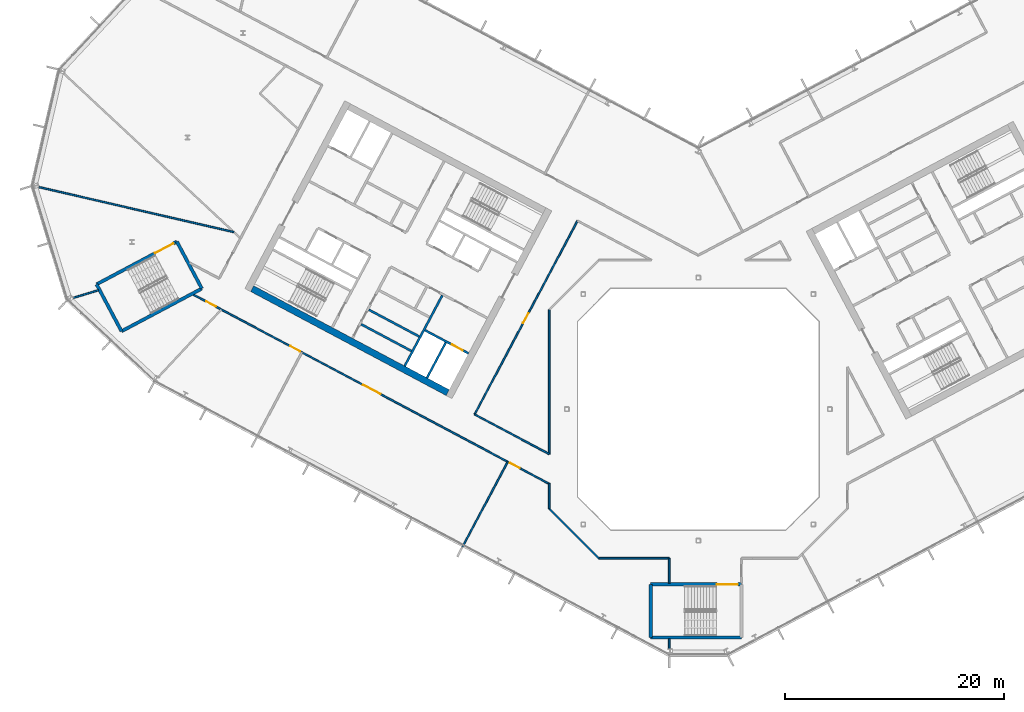
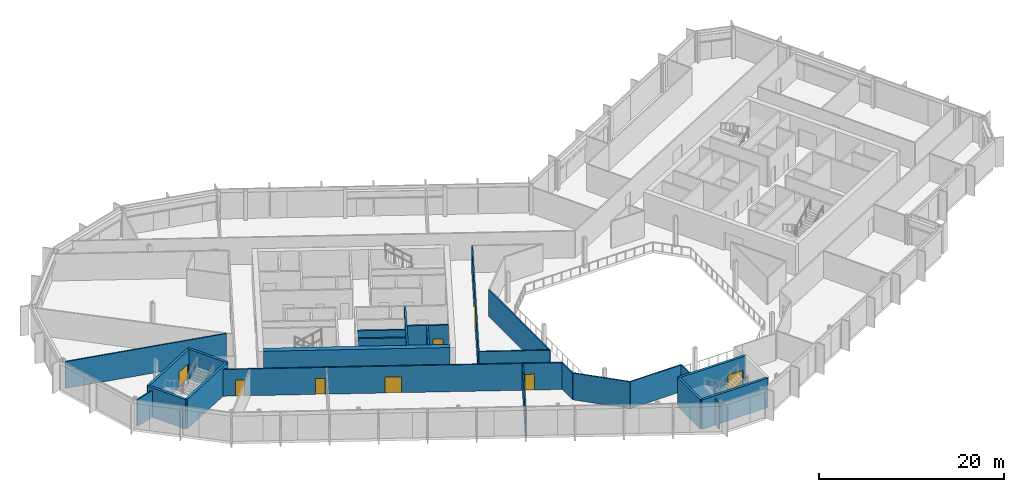
# One storey, part 12 of 26: 25 walls, 8 doors, 8 openings.
"""IFC4 building model written with IfcOpenShell, lengths in metres."""

from ifc_helpers import new_model, si_unit, direction, frame, frame_2d, origin, place, context, subcontext, project, spatial, rectangle, extrude, material, layer, layer_set, type_object, element, fill, save


model = new_model("IFC4")

# Units and contexts
model_context = context("Model", 3, precision=1e-05, world=origin(), true_north=direction((0.0, 1.0)))
body_context = subcontext(model_context, "Body", "Model", "MODEL_VIEW")
ifc_project = project(units=[si_unit("LENGTHUNIT", "METRE"), si_unit("AREAUNIT", "SQUARE_METRE"), si_unit("VOLUMEUNIT", "CUBIC_METRE"), si_unit("PLANEANGLEUNIT", "RADIAN"), si_unit("MASSUNIT", "GRAM", prefix="KILO")], contexts=[model_context])

# Site, building, storey
site_placement = place(None, origin())
site = spatial("IfcSite", under=ifc_project, at=site_placement, CompositionType="ELEMENT")
building_placement = place(site_placement, origin())
building = spatial("IfcBuilding", under=site, at=building_placement, Name="Cormorant Relay Tower", CompositionType="ELEMENT")
storey_placement = place(building_placement, frame((0.0, 0.0, 244.199951171875)))
storey = spatial("IfcBuildingStorey", under=building, at=storey_placement, Name="L54", CompositionType="ELEMENT", Elevation=244.199951171875)

# Walls
ifc_material_1 = material(Name="Concrete 40 MPa", Category="concrete")
ifc_layer_1 = layer(ifc_material_1, 0.199951171875)
ifc_layer_set_1 = layer_set([ifc_layer_1], Name="Core internal wall 200")
wall_type_1 = type_object("IfcWallType", Name="Core internal wall 200", PredefinedType="SOLIDWALL", material=ifc_layer_set_1)
for number, where, z_axis, x_axis, name in (
    (1, (-25.46728515625, 6.632568359375, 0.0), (0.0, 0.0, 1.0), (-0.882953967957, 0.469459572775, 0.0), "L54 core A shaft and room wall"),
    (2, (-26.17138671875, 5.30810546875, 0.0), (0.0, 0.0, 1.0), (-0.882953967957, 0.469459572775, 0.0), "L54 core A shaft and room wall"),
):
    element("IfcWall", number, at=place(storey_placement, frame(where, z_axis=z_axis, x_axis=x_axis)), inside=storey, type_object=wall_type_1, Name=name, PredefinedType="SOLIDWALL", context=body_context, shape_type="SweptSolid", body=[
        extrude(rectangle(XDim=5.199951171875, YDim=0.199951171875, at=frame_2d((2.60009765625, 0.0))), origin(), (0.0, 0.0, 1.0), 3.900146484375),
    ])
ifc_material_2 = material(Name="Concrete 50 MPa", Category="concrete")
ifc_layer_2 = layer(ifc_material_2, 0.199951171875)
ifc_layer_set_2 = layer_set([ifc_layer_2], Name="Core shaft wall 200")
wall_type_2 = type_object("IfcWallType", Name="Core shaft wall 200", PredefinedType="SHEAR", material=ifc_layer_set_2)
wall_1_placement = place(storey_placement, frame((-23.04296875, 6.07958984375, 0.0), z_axis=(0.0, 0.0, 1.0), x_axis=(-0.469494272526, -0.882935517501, 0.0)))
element("IfcWall", 3, at=wall_1_placement, inside=storey, type_object=wall_type_2, Name="L54 core A shaft wall", PredefinedType="SHEAR", context=body_context, shape_type="SweptSolid", body=[
    extrude(rectangle(XDim=3.64990234375, YDim=0.199951171875, at=frame_2d((1.824951171875, 0.0))), origin(), (0.0, 0.0, 1.0), 3.900146484375),
])
wall_2_placement = place(storey_placement, frame((-23.360107421875, 10.38232421875, 0.0), z_axis=(0.0, 0.0, 1.0), x_axis=(-0.469480409012, -0.88294288918, 0.0)))
element("IfcWall", 4, at=wall_2_placement, inside=storey, type_object=wall_type_2, Name="L54 core A shaft wall", PredefinedType="SHEAR", context=body_context, shape_type="SweptSolid", body=[
    extrude(rectangle(XDim=7.300048828125, YDim=0.199951171875, at=frame_2d((3.64990234375, 0.0))), origin(), (0.0, 0.0, 1.0), 3.900146484375),
])

# Wall, opening, door
wall_3_placement = place(storey_placement, frame((-20.96533203125, 5.088134765625, 0.0), z_axis=(0.0, 0.0, 1.0), x_axis=(-0.882925986334, 0.469512196493, 0.0)))
wall_3 = element("IfcWall", 5, at=wall_3_placement, inside=storey, type_object=wall_type_2, Name="L54 core A shaft wall", PredefinedType="SHEAR", context=body_context, shape_type="SweptSolid", body=[
    extrude(rectangle(XDim=4.5, YDim=0.199951171875, at=frame_2d((2.25, 0.0))), origin(), (0.0, 0.0, 1.0), 3.900146484375),
])
opening_1_placement = place(wall_3_placement, frame((0.60009765625, 0.0, 0.0)))
opening_1 = element("IfcOpeningElement", 6, at=opening_1_placement, cuts=wall_3, Name="Opening LD1-063", PredefinedType="OPENING", context=body_context, shape_type="SweptSolid", body=[
    extrude(rectangle(XDim=1.10009765625, YDim=2.10009765625, at=frame_2d((0.550048828125, 1.050048828125))), frame((0.0, 0.10986328125, 0.0), z_axis=(0.0, -1.0, 0.0), x_axis=(1.0, 0.0, 0.0)), (0.0, 0.0, 1.0), 0.219970703125),
])
ifc_material_3 = material(Name="Stainless steel 316", Category="steel")
door_type_1 = type_object("IfcDoorType", Name="Lift landing door 1100x2100", OperationType="DOUBLE_DOOR_SLIDING", PredefinedType="DOOR", material=ifc_material_3)
door_1_placement = place(opening_1_placement, origin())
door_1 = element("IfcDoor", 7, at=door_1_placement, inside=storey, type_object=door_type_1, Name="FF1 landing door", OperationType="DOUBLE_DOOR_SLIDING", OverallHeight=2.10009765625, OverallWidth=1.10009765625, PredefinedType="DOOR", context=body_context, shape_type="SweptSolid", body=[
    extrude(rectangle(XDim=1.10009765625, YDim=2.10009765625, at=frame_2d((0.550048828125, 1.050048828125))), frame((0.0, 0.02490234375, 0.0), z_axis=(0.0, -1.0, 0.0), x_axis=(1.0, 0.0, 0.0)), (0.0, 0.0, 1.0), 0.050048828125),
])
fill(opening_1, door_1)

# Wall
ifc_material_4 = material(Name="Concrete 50 MPa", Category="concrete")
ifc_layer_3 = layer(ifc_material_4, 0.60009765625)
ifc_layer_set_3 = layer_set([ifc_layer_3], Name="Core wall 600")
wall_type_3 = type_object("IfcWallType", Name="Core wall 600", PredefinedType="SHEAR", material=ifc_layer_set_3)
wall_4_placement = place(storey_placement, frame((-22.86669921875, 1.51220703125, 0.0), z_axis=(0.0, 0.0, 1.0), x_axis=(-0.88294509198, 0.469476266226, 0.0)))
element("IfcWall", 8, at=wall_4_placement, inside=storey, type_object=wall_type_3, Name="L54 core A wall", PredefinedType="SHEAR", context=body_context, shape_type="SweptSolid", body=[
    extrude(rectangle(XDim=20.199951171875, YDim=0.60009765625, at=frame_2d((10.10009765625, 0.0))), origin(), (0.0, 0.0, 1.0), 3.900146484375),
])

# Wall, openings, doors
ifc_material_5 = material(Name="Gypsum board fire partition")
ifc_layer_4 = layer(ifc_material_5, 0.14990234375)
ifc_layer_set_4 = layer_set([ifc_layer_4], Name="Corridor partition 150 EI 60")
wall_type_4 = type_object("IfcWallType", Name="Corridor partition 150 EI 60", PredefinedType="PARTITIONING", material=ifc_layer_set_4)
wall_5_placement = place(storey_placement, frame((-13.60009765625, -6.81298828125, 0.0), z_axis=(0.0, 0.0, 1.0), x_axis=(-0.8829403307, 0.469485220666, 0.0)))
wall_5 = element("IfcWall", 9, at=wall_5_placement, inside=storey, type_object=wall_type_4, Name="wall/L54/part/014", PredefinedType="PARTITIONING", context=body_context, shape_type="SweptSolid", body=[
    extrude(rectangle(XDim=36.797607421875, YDim=0.14990234375, at=frame_2d((18.39892578125, 0.0))), origin(), (0.0, 0.0, 1.0), 3.5400390625),
])
opening_2_placement = place(wall_5_placement, frame((34.449951171875, 0.0, 0.0)))
opening_2 = element("IfcOpeningElement", 10, at=opening_2_placement, cuts=wall_5, Name="Opening DS-169", PredefinedType="OPENING", context=body_context, shape_type="SweptSolid", body=[
    extrude(rectangle(XDim=1.0, YDim=2.10009765625, at=frame_2d((0.5, 1.050048828125))), frame((0.0, 0.0849609375, 0.0), z_axis=(0.0, -1.0, 0.0), x_axis=(1.0, 0.0, 0.0)), (0.0, 0.0, 1.0), 0.169921875),
])
opening_3_placement = place(wall_5_placement, frame((25.75, 0.0, 0.0)))
opening_3 = element("IfcOpeningElement", 11, at=opening_3_placement, cuts=wall_5, Name="Opening DS-170", PredefinedType="OPENING", context=body_context, shape_type="SweptSolid", body=[
    extrude(rectangle(XDim=1.0, YDim=2.10009765625, at=frame_2d((0.5, 1.050048828125))), frame((0.0, 0.0849609375, 0.0), z_axis=(0.0, -1.0, 0.0), x_axis=(1.0, 0.0, 0.0)), (0.0, 0.0, 1.0), 0.169921875),
])
opening_4_placement = place(wall_5_placement, frame((17.449951171875, 0.0, 0.0)))
opening_4 = element("IfcOpeningElement", 12, at=opening_4_placement, cuts=wall_5, Name="Opening DD-030", PredefinedType="OPENING", context=body_context, shape_type="SweptSolid", body=[
    extrude(rectangle(XDim=1.800048828125, YDim=2.10009765625, at=frame_2d((0.89990234375, 1.050048828125))), frame((0.0, 0.0849609375, 0.0), z_axis=(0.0, -1.0, 0.0), x_axis=(1.0, 0.0, 0.0)), (0.0, 0.0, 1.0), 0.169921875),
])
opening_5_placement = place(wall_5_placement, frame((3.050048828125, 0.0, 0.0)))
opening_5 = element("IfcOpeningElement", 13, at=opening_5_placement, cuts=wall_5, Name="Opening DS-171", PredefinedType="OPENING", context=body_context, shape_type="SweptSolid", body=[
    extrude(rectangle(XDim=1.0, YDim=2.10009765625, at=frame_2d((0.5, 1.050048828125))), frame((0.0, 0.0849609375, 0.0), z_axis=(0.0, -1.0, 0.0), x_axis=(1.0, 0.0, 0.0)), (0.0, 0.0, 1.0), 0.169921875),
])
ifc_material_6 = material(Name="Timber door leaf", Category="wood")
door_type_2 = type_object("IfcDoorType", Name="Suite door 1000x2100", OperationType="SINGLE_SWING_LEFT", PredefinedType="DOOR", material=ifc_material_6)
door_2_placement = place(opening_2_placement, origin())
door_2 = element("IfcDoor", 14, at=door_2_placement, inside=storey, type_object=door_type_2, Name="door/L54/008", OperationType="SINGLE_SWING_LEFT", OverallHeight=2.10009765625, OverallWidth=1.0, PredefinedType="DOOR", context=body_context, shape_type="SweptSolid", body=[
    extrude(rectangle(XDim=1.0, YDim=2.10009765625, at=frame_2d((0.5, 1.050048828125))), frame((0.0, 0.02490234375, 0.0), z_axis=(0.0, -1.0, 0.0), x_axis=(1.0, 0.0, 0.0)), (0.0, 0.0, 1.0), 0.050048828125),
])
fill(opening_2, door_2)
door_3_placement = place(opening_3_placement, origin())
door_3 = element("IfcDoor", 15, at=door_3_placement, inside=storey, type_object=door_type_2, Name="door/L54/009", OperationType="SINGLE_SWING_LEFT", OverallHeight=2.10009765625, OverallWidth=1.0, PredefinedType="DOOR", context=body_context, shape_type="SweptSolid", body=[
    extrude(rectangle(XDim=1.0, YDim=2.10009765625, at=frame_2d((0.5, 1.050048828125))), frame((0.0, 0.02490234375, 0.0), z_axis=(0.0, -1.0, 0.0), x_axis=(1.0, 0.0, 0.0)), (0.0, 0.0, 1.0), 0.050048828125),
])
fill(opening_3, door_3)
door_4_placement = place(opening_5_placement, origin())
door_4 = element("IfcDoor", 16, at=door_4_placement, inside=storey, type_object=door_type_2, Name="door/L54/011", OperationType="SINGLE_SWING_RIGHT", OverallHeight=2.10009765625, OverallWidth=1.0, PredefinedType="DOOR", context=body_context, shape_type="SweptSolid", body=[
    extrude(rectangle(XDim=1.0, YDim=2.10009765625, at=frame_2d((0.5, 1.050048828125))), frame((0.0, 0.02490234375, 0.0), z_axis=(0.0, -1.0, 0.0), x_axis=(1.0, 0.0, 0.0)), (0.0, 0.0, 1.0), 0.050048828125),
])
fill(opening_5, door_4)
ifc_material_7 = material(Name="Timber door leaf", Category="wood")
door_type_3 = type_object("IfcDoorType", Name="Suite double door 1800x2100", OperationType="DOUBLE_DOOR_SINGLE_SWING", PredefinedType="DOOR", material=ifc_material_7)
door_5_placement = place(opening_4_placement, origin())
door_5 = element("IfcDoor", 17, at=door_5_placement, inside=storey, type_object=door_type_3, Name="door/L54/010", OperationType="DOUBLE_DOOR_SINGLE_SWING", OverallHeight=2.10009765625, OverallWidth=1.800048828125, PredefinedType="DOOR", context=body_context, shape_type="SweptSolid", body=[
    extrude(rectangle(XDim=1.800048828125, YDim=2.10009765625, at=frame_2d((0.89990234375, 1.050048828125))), frame((0.0, 0.02490234375, 0.0), z_axis=(0.0, -1.0, 0.0), x_axis=(1.0, 0.0, 0.0)), (0.0, 0.0, 1.0), 0.050048828125),
])
fill(opening_4, door_5)

# Walls
wall_6_placement = place(storey_placement, frame((-2.64892578125, -13.60009765625, 0.0), z_axis=(0.0, 0.0, 1.0), x_axis=(-1.0, 0.0, 0.0)))
element("IfcWall", 18, at=wall_6_placement, inside=storey, type_object=wall_type_4, Name="wall/L54/part/019", PredefinedType="PARTITIONING", context=body_context, shape_type="SweptSolid", body=[
    extrude(rectangle(XDim=6.427978515625, YDim=0.14990234375, at=frame_2d((3.2138671875, 0.0))), origin(), (0.0, 0.0, 1.0), 3.5400390625),
])
wall_7_placement = place(storey_placement, frame((-9.076904296875, -13.60009765625, 0.0), z_axis=(0.0, 0.0, 1.0), x_axis=(-0.707106781187, 0.707106781187, 0.0)))
element("IfcWall", 19, at=wall_7_placement, inside=storey, type_object=wall_type_4, Name="wall/L54/part/020", PredefinedType="PARTITIONING", context=body_context, shape_type="SweptSolid", body=[
    extrude(rectangle(XDim=6.396728515625, YDim=0.14990234375, at=frame_2d((3.1982421875, 0.0))), origin(), (0.0, 0.0, 1.0), 3.5400390625),
])
wall_8_placement = place(storey_placement, frame((-13.60009765625, -9.076904296875, 0.0), z_axis=(0.0, 0.0, 1.0), x_axis=(0.0, 1.0, 0.0)))
element("IfcWall", 20, at=wall_8_placement, inside=storey, type_object=wall_type_4, Name="wall/L54/part/021", PredefinedType="PARTITIONING", context=body_context, shape_type="SweptSolid", body=[
    extrude(rectangle(XDim=2.31396484375, YDim=0.14990234375, at=frame_2d((1.156982421875, 0.0))), origin(), (0.0, 0.0, 1.0), 3.5400390625),
])
wall_9_placement = place(storey_placement, frame((-2.64892578125, -13.60009765625, 0.0), z_axis=(0.0, 0.0, 1.0), x_axis=(0.0, -1.0, 0.0)))
element("IfcWall", 21, at=wall_9_placement, inside=storey, type_object=wall_type_4, Name="wall/L54/part/023", PredefinedType="PARTITIONING", context=body_context, shape_type="SweptSolid", body=[
    extrude(rectangle(XDim=2.27490234375, YDim=0.14990234375, at=frame_2d((1.137451171875, 0.0))), origin(), (0.0, 0.0, 1.0), 3.5400390625),
])

# Wall, opening, door
wall_10_placement = place(storey_placement, frame((-20.410888671875, -0.472900390625, 0.0), z_axis=(0.0, 0.0, 1.0), x_axis=(0.469451816494, 0.882958091865, 0.0)))
wall_10 = element("IfcWall", 22, at=wall_10_placement, inside=storey, type_object=wall_type_4, Name="wall/L54/part/045", PredefinedType="PARTITIONING", context=body_context, shape_type="SweptSolid", body=[
    extrude(rectangle(XDim=19.999755859375, YDim=0.14990234375, at=frame_2d((10.0, 0.0))), origin(), (0.0, 0.0, 1.0), 3.5400390625),
])
opening_6_placement = place(wall_10_placement, frame((9.449951171875, 0.0, 0.0)))
opening_6 = element("IfcOpeningElement", 23, at=opening_6_placement, cuts=wall_10, Name="Opening DS-132", PredefinedType="OPENING", context=body_context, shape_type="SweptSolid", body=[
    extrude(rectangle(XDim=1.0, YDim=2.10009765625, at=frame_2d((0.5, 1.050048828125))), frame((0.0, 0.0849609375, 0.0), z_axis=(0.0, -1.0, 0.0), x_axis=(1.0, 0.0, 0.0)), (0.0, 0.0, 1.0), 0.169921875),
])
door_6_placement = place(opening_6_placement, frame((1.0, 0.0, 0.0), z_axis=(0.0, 0.0, 1.0), x_axis=(-1.0, 0.0, 0.0)))
door_6 = element("IfcDoor", 24, at=door_6_placement, inside=storey, type_object=door_type_2, Name="door/L54/012", OperationType="SINGLE_SWING_LEFT", OverallHeight=2.10009765625, OverallWidth=1.0, PredefinedType="DOOR", context=body_context, shape_type="SweptSolid", body=[
    extrude(rectangle(XDim=1.0, YDim=2.10009765625, at=frame_2d((0.5, 1.050048828125))), frame((0.0, 0.02490234375, 0.0), z_axis=(0.0, -1.0, 0.0), x_axis=(1.0, 0.0, 0.0)), (0.0, 0.0, 1.0), 0.050048828125),
])
fill(opening_6, door_6)

# Walls
wall_11_placement = place(storey_placement, frame((-13.60009765625, 9.076904296875, 0.0), z_axis=(0.0, 0.0, 1.0), x_axis=(0.0, -1.0, 0.0)))
element("IfcWall", 25, at=wall_11_placement, inside=storey, type_object=wall_type_4, Name="wall/L54/part/049", PredefinedType="PARTITIONING", context=body_context, shape_type="SweptSolid", body=[
    extrude(rectangle(XDim=13.1708984375, YDim=0.14990234375, at=frame_2d((6.58544921875, 0.0))), origin(), (0.0, 0.0, 1.0), 3.5400390625),
])
wall_12_placement = place(storey_placement, frame((-13.60009765625, -4.093994140625, 0.0), z_axis=(0.0, 0.0, 1.0), x_axis=(-0.882961998231, 0.469444469218, 0.0)))
element("IfcWall", 26, at=wall_12_placement, inside=storey, type_object=wall_type_4, Name="wall/L54/part/050", PredefinedType="PARTITIONING", context=body_context, shape_type="SweptSolid", body=[
    extrude(rectangle(XDim=7.713623046875, YDim=0.14990234375, at=frame_2d((3.85693359375, 0.0))), origin(), (0.0, 0.0, 1.0), 3.5400390625),
])
ifc_material_8 = material(Name="Concrete 50 MPa", Category="concrete")
ifc_layer_5 = layer(ifc_material_8, 0.300048828125)
ifc_layer_set_5 = layer_set([ifc_layer_5], Name="Remote stair wall 300")
wall_type_5 = type_object("IfcWallType", Name="Remote stair wall 300", PredefinedType="SHEAR", material=ifc_layer_set_5)
wall_13_placement = place(storey_placement, frame((3.949951171875, -20.824951171875, 0.0), z_axis=(0.0, 0.0, 1.0), x_axis=(-1.0, 0.0, 0.0)))
element("IfcWall", 27, at=wall_13_placement, inside=storey, type_object=wall_type_5, Name="L54 exit stair RK1 wall", PredefinedType="SHEAR", context=body_context, shape_type="SweptSolid", body=[
    extrude(rectangle(XDim=8.300048828125, YDim=0.300048828125, at=frame_2d((4.14990234375, 0.0))), origin(), (0.0, 0.0, 1.0), 3.900146484375),
])
wall_14_placement = place(storey_placement, frame((-4.35009765625, -20.824951171875, 0.0), z_axis=(0.0, 0.0, 1.0), x_axis=(0.0, 1.0, 0.0)))
element("IfcWall", 28, at=wall_14_placement, inside=storey, type_object=wall_type_5, Name="L54 exit stair RK1 wall", PredefinedType="SHEAR", context=body_context, shape_type="SweptSolid", body=[
    extrude(rectangle(XDim=4.849853515625, YDim=0.300048828125, at=frame_2d((2.4248046875, 0.0))), origin(), (0.0, 0.0, 1.0), 3.900146484375),
])

# Wall, opening, door
wall_15_placement = place(storey_placement, frame((-4.35009765625, -15.97509765625, 0.0), z_axis=(0.0, 0.0, 1.0), x_axis=(1.0, 0.0, 0.0)))
wall_15 = element("IfcWall", 29, at=wall_15_placement, inside=storey, type_object=wall_type_5, Name="L54 exit stair RK1 wall", PredefinedType="SHEAR", context=body_context, shape_type="SweptSolid", body=[
    extrude(rectangle(XDim=8.300048828125, YDim=0.300048828125, at=frame_2d((4.14990234375, 0.0))), origin(), (0.0, 0.0, 1.0), 3.900146484375),
])
opening_7_placement = place(wall_15_placement, frame((6.050048828125, 0.0, 0.0)))
opening_7 = element("IfcOpeningElement", 30, at=opening_7_placement, cuts=wall_15, Name="Opening CDE-014", PredefinedType="OPENING", context=body_context, shape_type="SweptSolid", body=[
    extrude(rectangle(XDim=1.89990234375, YDim=2.10009765625, at=frame_2d((0.949951171875, 1.050048828125))), frame((0.0, 0.159912109375, 0.0), z_axis=(0.0, -1.0, 0.0), x_axis=(1.0, 0.0, 0.0)), (0.0, 0.0, 1.0), 0.320068359375),
])
ifc_material_9 = material(Name="Steel fire door", Category="steel")
door_type_4 = type_object("IfcDoorType", Name="Remote stair door 1900x2100", OperationType="DOUBLE_DOOR_SINGLE_SWING", PredefinedType="DOOR", material=ifc_material_9)
door_7_placement = place(opening_7_placement, frame((1.89990234375, 0.0, 0.0), z_axis=(0.0, 0.0, 1.0), x_axis=(-1.0, 0.0, 0.0)))
door_7 = element("IfcDoor", 31, at=door_7_placement, inside=storey, type_object=door_type_4, Name="Exit stair RK1 door", OperationType="DOUBLE_DOOR_SINGLE_SWING", OverallHeight=2.10009765625, OverallWidth=1.89990234375, PredefinedType="DOOR", context=body_context, shape_type="SweptSolid", body=[
    extrude(rectangle(XDim=1.89990234375, YDim=2.10009765625, at=frame_2d((0.949951171875, 1.050048828125))), frame((0.0, 0.02490234375, 0.0), z_axis=(0.0, -1.0, 0.0), x_axis=(1.0, 0.0, 0.0)), (0.0, 0.0, 1.0), 0.050048828125),
])
fill(opening_7, door_7)

# Walls
wall_16_placement = place(storey_placement, frame((-47.57421875, 15.28955078125, 0.0), z_axis=(0.0, 0.0, 1.0), x_axis=(0.469443498566, -0.882962514297, 0.0)))
element("IfcWall", 32, at=wall_16_placement, inside=storey, type_object=wall_type_5, Name="L54 exit stair RP1 wall", PredefinedType="SHEAR", context=body_context, shape_type="SweptSolid", body=[
    extrude(rectangle(XDim=4.85009765625, YDim=0.300048828125, at=frame_2d((2.425048828125, 0.0))), origin(), (0.0, 0.0, 1.0), 3.900146484375),
])
wall_17_placement = place(storey_placement, frame((-45.29736328125, 11.007080078125, 0.0), z_axis=(0.0, 0.0, 1.0), x_axis=(-0.882951519127, -0.469464178475, 0.0)))
element("IfcWall", 33, at=wall_17_placement, inside=storey, type_object=wall_type_5, Name="L54 exit stair RP1 wall", PredefinedType="SHEAR", context=body_context, shape_type="SweptSolid", body=[
    extrude(rectangle(XDim=8.2998046875, YDim=0.300048828125, at=frame_2d((4.14990234375, 0.0))), origin(), (0.0, 0.0, 1.0), 3.900146484375),
])
wall_18_placement = place(storey_placement, frame((-52.625732421875, 7.110595703125, 0.0), z_axis=(0.0, 0.0, 1.0), x_axis=(-0.469464364128, 0.882951420416, 0.0)))
element("IfcWall", 34, at=wall_18_placement, inside=storey, type_object=wall_type_5, Name="L54 exit stair RP1 wall", PredefinedType="SHEAR", context=body_context, shape_type="SweptSolid", body=[
    extrude(rectangle(XDim=4.849853515625, YDim=0.300048828125, at=frame_2d((2.4248046875, 0.0))), origin(), (0.0, 0.0, 1.0), 3.900146484375),
])

# Wall, opening, door
wall_19_placement = place(storey_placement, frame((-54.902587890625, 11.392822265625, 0.0), z_axis=(0.0, 0.0, 1.0), x_axis=(0.882939326045, 0.469487110071, 0.0)))
wall_19 = element("IfcWall", 35, at=wall_19_placement, inside=storey, type_object=wall_type_5, Name="L54 exit stair RP1 wall", PredefinedType="SHEAR", context=body_context, shape_type="SweptSolid", body=[
    extrude(rectangle(XDim=8.300048828125, YDim=0.300048828125, at=frame_2d((4.14990234375, 0.0))), origin(), (0.0, 0.0, 1.0), 3.900146484375),
])
opening_8_placement = place(wall_19_placement, frame((6.050048828125, 0.0, 0.0)))
opening_8 = element("IfcOpeningElement", 36, at=opening_8_placement, cuts=wall_19, Name="Opening CDE-015", PredefinedType="OPENING", context=body_context, shape_type="SweptSolid", body=[
    extrude(rectangle(XDim=1.89990234375, YDim=2.10009765625, at=frame_2d((0.949951171875, 1.050048828125))), frame((0.0, 0.159912109375, 0.0), z_axis=(0.0, -1.0, 0.0), x_axis=(1.0, 0.0, 0.0)), (0.0, 0.0, 1.0), 0.320068359375),
])
door_8_placement = place(opening_8_placement, frame((1.89990234375, 0.0, 0.0), z_axis=(0.0, 0.0, 1.0), x_axis=(-1.0, 0.0, 0.0)))
door_8 = element("IfcDoor", 37, at=door_8_placement, inside=storey, type_object=door_type_4, Name="Exit stair RP1 door", OperationType="DOUBLE_DOOR_SINGLE_SWING", OverallHeight=2.10009765625, OverallWidth=1.89990234375, PredefinedType="DOOR", context=body_context, shape_type="SweptSolid", body=[
    extrude(rectangle(XDim=1.89990234375, YDim=2.10009765625, at=frame_2d((0.949951171875, 1.050048828125))), frame((0.0, 0.02490234375, 0.0), z_axis=(0.0, -1.0, 0.0), x_axis=(1.0, 0.0, 0.0)), (0.0, 0.0, 1.0), 0.050048828125),
])
fill(opening_8, door_8)

# Walls
ifc_material_10 = material(Name="Gypsum board partition")
ifc_layer_6 = layer(ifc_material_10, 0.14990234375)
ifc_layer_set_6 = layer_set([ifc_layer_6], Name="Tenant partition 150")
wall_type_6 = type_object("IfcWallType", Name="Tenant partition 150", PredefinedType="PARTITIONING", material=ifc_layer_set_6)
wall_20_placement = place(storey_placement, frame((-60.162109375, 20.264892578125, 0.0), z_axis=(0.0, 0.0, 1.0), x_axis=(0.974367298847, -0.224963034603, 0.0)))
element("IfcWall", 38, at=wall_20_placement, inside=storey, type_object=wall_type_6, Name="wall/L54/part/001", PredefinedType="PARTITIONING", context=body_context, shape_type="SweptSolid", body=[
    extrude(rectangle(XDim=18.256103515625, YDim=0.14990234375, at=frame_2d((9.1279296875, 0.0))), origin(), (0.0, 0.0, 1.0), 3.5400390625),
])
wall_21_placement = place(storey_placement, frame((-54.73193359375, 10.85693359375, 0.0), z_axis=(0.0, 0.0, 1.0), x_axis=(-0.956308315689, -0.292360061129, 0.0)))
element("IfcWall", 39, at=wall_21_placement, inside=storey, type_object=wall_type_6, Name="wall/L54/part/005", PredefinedType="PARTITIONING", context=body_context, shape_type="SweptSolid", body=[
    extrude(rectangle(XDim=2.36669921875, YDim=0.14990234375, at=frame_2d((1.183349609375, 0.0))), origin(), (0.0, 0.0, 1.0), 3.5400390625),
])
wall_22_placement = place(storey_placement, frame((-17.387939453125, -4.798095703125, 0.0), z_axis=(0.0, 0.0, 1.0), x_axis=(-0.469532456729, -0.882915212281, 0.0)))
element("IfcWall", 40, at=wall_22_placement, inside=storey, type_object=wall_type_6, Name="wall/L54/part/017", PredefinedType="PARTITIONING", context=body_context, shape_type="SweptSolid", body=[
    extrude(rectangle(XDim=8.80029296875, YDim=0.14990234375, at=frame_2d((4.400146484375, 0.0))), origin(), (0.0, 0.0, 1.0), 3.5400390625),
])
wall_23_placement = place(storey_placement, frame((-2.64892578125, -20.925048828125, 0.0), z_axis=(0.0, 0.0, 1.0), x_axis=(0.0, -1.0, 0.0)))
element("IfcWall", 41, at=wall_23_placement, inside=storey, type_object=wall_type_6, Name="wall/L54/part/024", PredefinedType="PARTITIONING", context=body_context, shape_type="SweptSolid", body=[
    extrude(rectangle(XDim=0.94189453125, YDim=0.14990234375, at=frame_2d((0.470947265625, 0.0))), origin(), (0.0, 0.0, 1.0), 3.5400390625),
])

save(model, "model.ifc")
